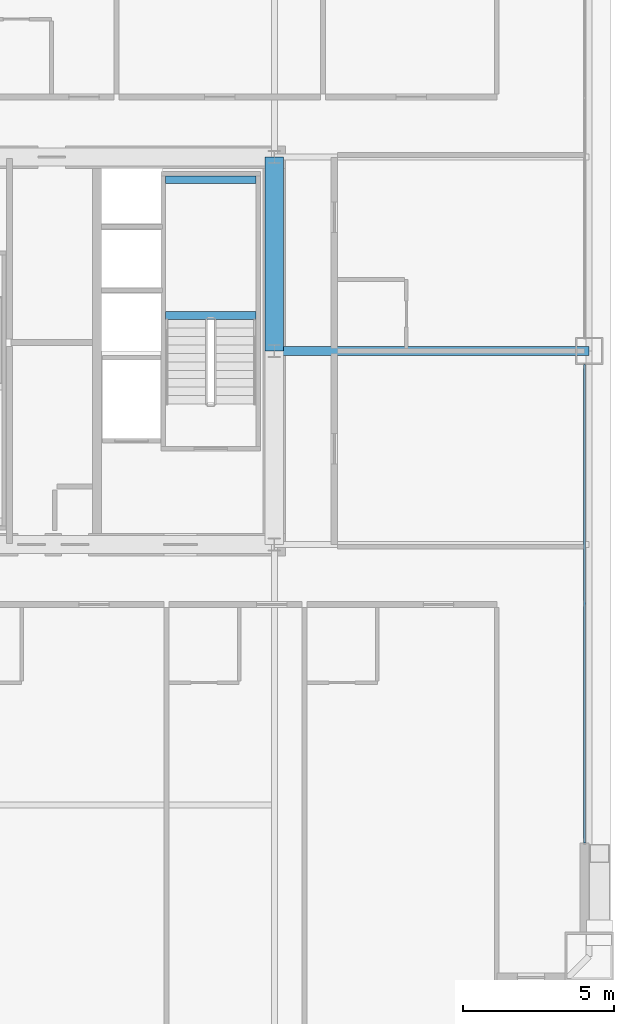
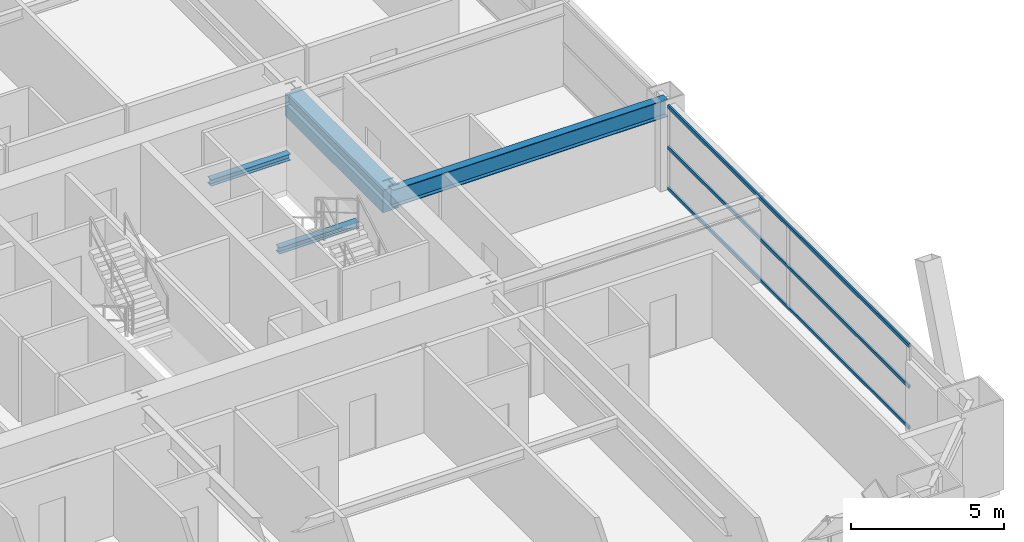
# One storey, part 21 of 43: 4 beams, 3 members, 1 element without a shape of its own.
"""IFC4 building model written with IfcOpenShell, lengths in metres."""

from ifc_helpers import new_model, si_unit, direction, frame, origin, origin_2d, place, context, subcontext, project, spatial, rectangle, hollow_rectangle, i_section, extrude, source, transform, mapped, material, layer, layer_set, material_profile, profile_set, type_object, element, aggregate, save


model = new_model("IFC4")

# Units and contexts
model_context = context("Model", 3, precision=1e-05, world=origin(), true_north=direction((0.0, 1.0)))
body_context = subcontext(model_context, "Body", "Model", "MODEL_VIEW")
ifc_project = project(units=[si_unit("LENGTHUNIT", "METRE"), si_unit("AREAUNIT", "SQUARE_METRE"), si_unit("VOLUMEUNIT", "CUBIC_METRE"), si_unit("PLANEANGLEUNIT", "RADIAN"), si_unit("MASSUNIT", "GRAM", prefix="KILO"), si_unit("THERMODYNAMICTEMPERATUREUNIT", "KELVIN"), si_unit("POWERUNIT", "WATT")], contexts=[model_context])

# Site, building, storey
site_placement = place(None, origin())
site = spatial("IfcSite", under=ifc_project, at=site_placement, CompositionType="ELEMENT")
building_placement = place(site_placement, origin())
building = spatial("IfcBuilding", under=site, at=building_placement, Name="Yuzanri Waterfront Tower", CompositionType="ELEMENT")
storey_placement = place(building_placement, frame((0.0, 0.0, 93.800048828125)))
storey = spatial("IfcBuildingStorey", under=building, at=storey_placement, Name="L24", CompositionType="ELEMENT", Elevation=93.800048828125)

# Beams
ifc_material_1 = material(Name="Concrete C60", Category="concrete")
ifc_material_profile_1 = material_profile(ifc_material_1, rectangle(XDim=0.60009765625, YDim=0.89990234375, at=origin_2d()), Name="RC 600x900")
ifc_profile_set_1 = profile_set([ifc_material_profile_1], Name="Concrete C60")
beam_type_1 = type_object("IfcBeamType", Name="Core Coupling Lintel Concrete C60 600x900", PredefinedType="LINTEL", material=ifc_profile_set_1)
shared_shape_1 = source(origin(), body_context, "Body", "SweptSolid", [
    extrude(rectangle(XDim=0.60009765625, YDim=0.89990234375, at=origin_2d()), origin(), (0.0, 0.0, 1.0), 6.39990234375),
])
beam_1_placement = place(storey_placement, frame((50.199951171875, 25.800048828125, 2.929931640625), z_axis=(0.0, 1.0, 0.0), x_axis=(-1.0, 0.0, 0.0)))
element("IfcBeam", 1, at=beam_1_placement, inside=storey, type_object=beam_type_1, Name="L24 Core Tie Beam CE2", PredefinedType="LINTEL", context=body_context, shape_type="MappedRepresentation", body=[
    mapped(shared_shape_1, transform((0.0, 0.0, 0.0), scale=1.0)),
])
ifc_material_2 = material(Name="Steel Q355B", Category="steel")
ifc_material_profile_2 = material_profile(ifc_material_2, i_section(OverallWidth=0.300048828125, OverallDepth=0.699951171875, WebThickness=0.012939453125, FlangeThickness=0.02392578125, at=origin_2d()), Name="HN 700x300x13x24")
ifc_profile_set_2 = profile_set([ifc_material_profile_2], Name="Steel Q355B")
beam_type_2 = type_object("IfcBeamType", Name="Primary Floor Girder Q355B HN 700x300", PredefinedType="BEAM", material=ifc_profile_set_2)
shared_shape_2 = source(origin(), body_context, "Body", "SweptSolid", [
    extrude(i_section(OverallWidth=0.300048828125, OverallDepth=0.699951171875, WebThickness=0.012939453125, FlangeThickness=0.02392578125, at=origin_2d()), origin(), (0.0, 0.0, 1.0), 10.400146484375),
])
beam_2_placement = place(storey_placement, frame((50.199951171875, 25.800048828125, 3.030029296875), z_axis=(1.0, 0.0, 0.0), x_axis=(0.0, 1.0, 0.0)))
element("IfcBeam", 2, at=beam_2_placement, inside=storey, type_object=beam_type_2, Name="L24 East Grid Girder", PredefinedType="BEAM", context=body_context, shape_type="MappedRepresentation", body=[
    mapped(shared_shape_2, transform((0.0, 0.0, 0.0), scale=1.0)),
])

# Curtain wall, members
ifc_material_3 = material(Name="Anodized Architectural Bronze", Category="metal")
ifc_layer = layer(ifc_material_3, 0.159912109375)
ifc_layer_set = layer_set([ifc_layer], Name="Anodized Architectural Bronze")
curtain_wall_type = type_object("IfcCurtainWallType", Name="Anodized Bronze Hotel Upper-Tier Solar-Control Unitized Curtain Wall 7800", PredefinedType="NOTDEFINED", material=ifc_layer_set)
curtain_wall_placement = place(storey_placement, origin())
curtain_wall = element("IfcCurtainWall", 3, at=curtain_wall_placement, inside=storey, type_object=curtain_wall_type, Name="L24 Curtain Wall CW-L24-EL", PredefinedType="NOTDEFINED")
ifc_material_4 = material(Name="Anodized Architectural Bronze", Category="metal")
ifc_material_profile_3 = material_profile(ifc_material_4, hollow_rectangle(XDim=0.070068359375, YDim=0.135009765625, WallThickness=0.00341796875, at=origin_2d()), Name="CWT 70x135")
ifc_profile_set_3 = profile_set([ifc_material_profile_3], Name="Anodized Architectural Bronze")
member_type = type_object("IfcMemberType", Name="Anodized Bronze Standard Curtain-Wall Transom 70x135", PredefinedType="USERDEFINED", material=ifc_profile_set_3)
shared_shape_3 = source(origin(), body_context, "Body", "SweptSolid", [
    extrude(hollow_rectangle(XDim=0.070068359375, YDim=0.135009765625, WallThickness=0.00341796875, at=origin_2d()), origin(), (0.0, 0.0, 1.0), 15.800048828125),
])
member_1_placement = place(storey_placement, frame((60.449951171875, 9.550048828125, 0.050048828125), z_axis=(0.0, 1.0, 0.0), x_axis=(-1.0, 0.0, 0.0)))
member_1 = element("IfcMember", 4, at=member_1_placement, type_object=member_type, Name="CW-L24-EL Transom 1", ObjectType="TRANSOM", PredefinedType="USERDEFINED", context=body_context, shape_type="MappedRepresentation", body=[
    mapped(shared_shape_3, transform((0.0, 0.0, 0.0), scale=1.0)),
])
member_2_placement = place(storey_placement, frame((60.449951171875, 9.550048828125, 1.68994140625), z_axis=(0.0, 1.0, 0.0), x_axis=(-1.0, 0.0, 0.0)))
member_2 = element("IfcMember", 5, at=member_2_placement, type_object=member_type, Name="CW-L24-EL Transom 2", ObjectType="TRANSOM", PredefinedType="USERDEFINED", context=body_context, shape_type="MappedRepresentation", body=[
    mapped(shared_shape_3, transform((0.0, 0.0, 0.0), scale=1.0)),
])
member_3_placement = place(storey_placement, frame((60.449951171875, 9.550048828125, 3.329833984375), z_axis=(0.0, 1.0, 0.0), x_axis=(-1.0, 0.0, 0.0)))
member_3 = element("IfcMember", 6, at=member_3_placement, type_object=member_type, Name="CW-L24-EL Transom 3", ObjectType="TRANSOM", PredefinedType="USERDEFINED", context=body_context, shape_type="MappedRepresentation", body=[
    mapped(shared_shape_3, transform((0.0, 0.0, 0.0), scale=1.0)),
])
aggregate(curtain_wall, [member_1, member_2, member_3])

# Beams
ifc_material_5 = material(Name="Steel Q355B", Category="steel")
ifc_material_profile_4 = material_profile(ifc_material_5, i_section(OverallWidth=0.25, OverallDepth=0.25, WebThickness=0.009033203125, FlangeThickness=0.013916015625, at=origin_2d()), Name="HW 250x250x9x14")
ifc_profile_set_4 = profile_set([ifc_material_profile_4], Name="Steel Q355B")
beam_type_3 = type_object("IfcBeamType", Name="Stair Landing Support Beam Q355B HW 250x250", PredefinedType="BEAM", material=ifc_profile_set_4)
shared_shape_4 = source(origin(), body_context, "Body", "SweptSolid", [
    extrude(i_section(OverallWidth=0.25, OverallDepth=0.25, WebThickness=0.009033203125, FlangeThickness=0.013916015625, at=origin_2d()), origin(), (0.0, 0.0, 1.0), 3.0),
])
for number, where, z_axis, x_axis, name in (
    (7, (46.60009765625, 26.969970703125, 1.474853515625), (1.0, 0.0, 0.0), (0.0, 1.0, 0.0), "L24 Stair Landing Support Beam ST-02-L24-L1-1"),
    (8, (46.60009765625, 31.449951171875, 1.474853515625), (1.0, 0.0, 0.0), (0.0, 1.0, 0.0), "L24 Stair Landing Support Beam ST-02-L24-L1-2"),
):
    element("IfcBeam", number, at=place(storey_placement, frame(where, z_axis=z_axis, x_axis=x_axis)), inside=storey, type_object=beam_type_3, Name=name, PredefinedType="BEAM", context=body_context, shape_type="MappedRepresentation", body=[
        mapped(shared_shape_4, transform((0.0, 0.0, 0.0), scale=1.0)),
    ])

save(model, "model.ifc")
